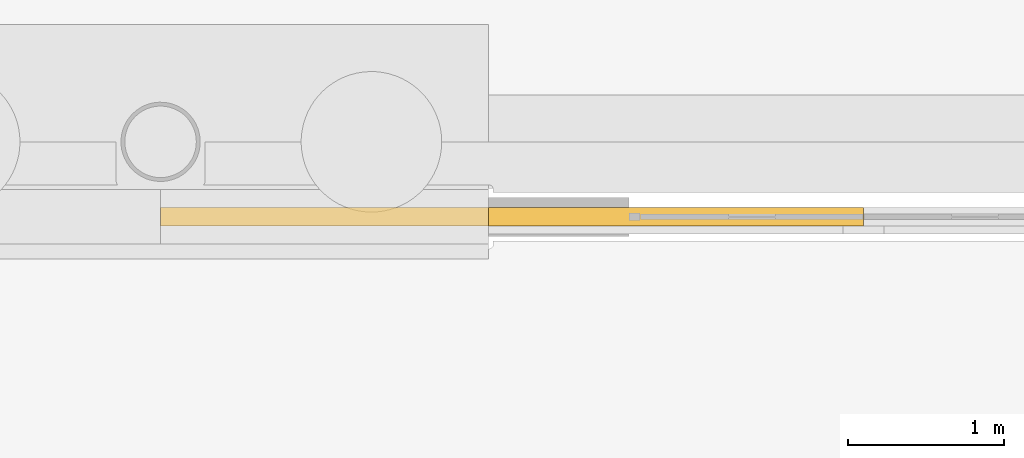
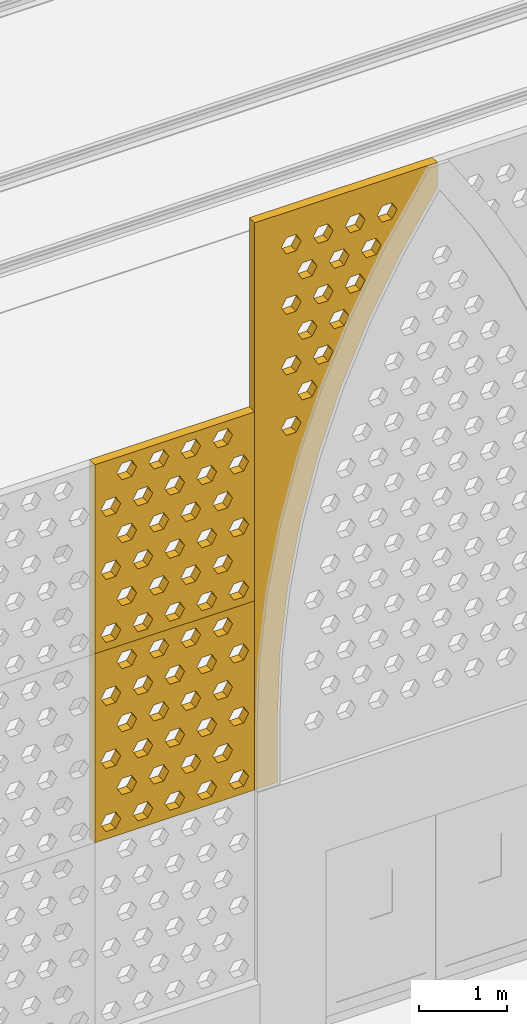
# One storey, part 206 of 250: 3 shading devices.
"""IFC4 building model written with IfcOpenShell, lengths in metres."""

from ifc_helpers import new_model, si_unit, direction, frame, origin, place, context, subcontext, project, spatial, polyline, outline, extrude, material, layer, layer_set, type_object, element, save


model = new_model("IFC4")

# Units and contexts
model_context = context("Model", 3, precision=1e-05, world=origin(), true_north=direction((0.0, 1.0)))
body_context = subcontext(model_context, "Body", "Model", "MODEL_VIEW")
ifc_project = project(units=[si_unit("LENGTHUNIT", "METRE"), si_unit("AREAUNIT", "SQUARE_METRE"), si_unit("VOLUMEUNIT", "CUBIC_METRE"), si_unit("PLANEANGLEUNIT", "RADIAN"), si_unit("MASSUNIT", "GRAM", prefix="KILO")], contexts=[model_context])

# Site, building, storey
site_placement = place(None, origin())
site = spatial("IfcSite", under=ifc_project, at=site_placement, CompositionType="ELEMENT")
building_placement = place(site_placement, origin())
building = spatial("IfcBuilding", under=site, at=building_placement, Name="Baradari Gate Terminus", CompositionType="ELEMENT")
storey_placement = place(building_placement, origin())
storey = spatial("IfcBuildingStorey", under=building, at=storey_placement, Name="L00", CompositionType="ELEMENT", Elevation=0.0)

# Shading devices
ifc_material = material(Name="Concrete C50/60 precast", Category="concrete")
ifc_layer = layer(ifc_material, 0.1201171875)
ifc_layer_set = layer_set([ifc_layer], Name="Concrete C50/60 precast")
shading_device_type = type_object("IfcShadingDeviceType", Name="Jali screen panel JS-2 120", PredefinedType="SHUTTER", material=ifc_layer_set)
shading_device_1_placement = place(storey_placement, frame((216.0, 35.52001953125, 3.52490234375), z_axis=(0.0, 0.0, 1.0), x_axis=(1.0, 0.0, 0.0)))
element("IfcShadingDevice", 1, at=shading_device_1_placement, inside=storey, type_object=shading_device_type, Name="Jali screen panel JS-2 SC07a row 2 panel 1", PredefinedType="SHUTTER", context=body_context, shape_type="SweptSolid", body=[
    extrude(outline(polyline([(0.0, 0.0), (2.10009765625, 0.0), (2.10009765625, 2.625), (0.0, 2.625), (0.0, 0.0)]), holes=[polyline([(0.340087890625, 0.21875), (0.27490234375, 0.106201171875), (0.14501953125, 0.106201171875), (0.080078125, 0.21875), (0.14501953125, 0.33154296875), (0.27490234375, 0.33154296875), (0.340087890625, 0.21875)]), polyline([(0.760009765625, 0.21875), (0.695068359375, 0.106201171875), (0.56494140625, 0.106201171875), (0.5, 0.21875), (0.56494140625, 0.33154296875), (0.695068359375, 0.33154296875), (0.760009765625, 0.21875)]), polyline([(1.179931640625, 0.21875), (1.114990234375, 0.106201171875), (0.985107421875, 0.106201171875), (0.919921875, 0.21875), (0.985107421875, 0.33154296875), (1.114990234375, 0.33154296875), (1.179931640625, 0.21875)]), polyline([(1.60009765625, 0.21875), (1.534912109375, 0.106201171875), (1.405029296875, 0.106201171875), (1.340087890625, 0.21875), (1.405029296875, 0.33154296875), (1.534912109375, 0.33154296875), (1.60009765625, 0.21875)]), polyline([(2.02001953125, 0.21875), (1.955078125, 0.106201171875), (1.824951171875, 0.106201171875), (1.760009765625, 0.21875), (1.824951171875, 0.33154296875), (1.955078125, 0.33154296875), (2.02001953125, 0.21875)]), polyline([(0.550048828125, 0.65625), (0.485107421875, 0.543701171875), (0.35498046875, 0.543701171875), (0.2900390625, 0.65625), (0.35498046875, 0.76904296875), (0.485107421875, 0.76904296875), (0.550048828125, 0.65625)]), polyline([(0.969970703125, 0.65625), (0.905029296875, 0.543701171875), (0.77490234375, 0.543701171875), (0.7099609375, 0.65625), (0.77490234375, 0.76904296875), (0.905029296875, 0.76904296875), (0.969970703125, 0.65625)]), polyline([(1.389892578125, 0.65625), (1.324951171875, 0.543701171875), (1.195068359375, 0.543701171875), (1.1298828125, 0.65625), (1.195068359375, 0.76904296875), (1.324951171875, 0.76904296875), (1.389892578125, 0.65625)]), polyline([(1.81005859375, 0.65625), (1.7451171875, 0.543701171875), (1.614990234375, 0.543701171875), (1.550048828125, 0.65625), (1.614990234375, 0.76904296875), (1.7451171875, 0.76904296875), (1.81005859375, 0.65625)]), polyline([(0.340087890625, 1.09375), (0.27490234375, 0.981201171875), (0.14501953125, 0.981201171875), (0.080078125, 1.09375), (0.14501953125, 1.20654296875), (0.27490234375, 1.20654296875), (0.340087890625, 1.09375)]), polyline([(0.760009765625, 1.09375), (0.695068359375, 0.981201171875), (0.56494140625, 0.981201171875), (0.5, 1.09375), (0.56494140625, 1.20654296875), (0.695068359375, 1.20654296875), (0.760009765625, 1.09375)]), polyline([(1.179931640625, 1.09375), (1.114990234375, 0.981201171875), (0.985107421875, 0.981201171875), (0.919921875, 1.09375), (0.985107421875, 1.20654296875), (1.114990234375, 1.20654296875), (1.179931640625, 1.09375)]), polyline([(1.60009765625, 1.09375), (1.534912109375, 0.981201171875), (1.405029296875, 0.981201171875), (1.340087890625, 1.09375), (1.405029296875, 1.20654296875), (1.534912109375, 1.20654296875), (1.60009765625, 1.09375)]), polyline([(2.02001953125, 1.09375), (1.955078125, 0.981201171875), (1.824951171875, 0.981201171875), (1.760009765625, 1.09375), (1.824951171875, 1.20654296875), (1.955078125, 1.20654296875), (2.02001953125, 1.09375)]), polyline([(0.550048828125, 1.53125), (0.485107421875, 1.418701171875), (0.35498046875, 1.418701171875), (0.2900390625, 1.53125), (0.35498046875, 1.64404296875), (0.485107421875, 1.64404296875), (0.550048828125, 1.53125)]), polyline([(0.969970703125, 1.53125), (0.905029296875, 1.418701171875), (0.77490234375, 1.418701171875), (0.7099609375, 1.53125), (0.77490234375, 1.64404296875), (0.905029296875, 1.64404296875), (0.969970703125, 1.53125)]), polyline([(1.389892578125, 1.53125), (1.324951171875, 1.418701171875), (1.195068359375, 1.418701171875), (1.1298828125, 1.53125), (1.195068359375, 1.64404296875), (1.324951171875, 1.64404296875), (1.389892578125, 1.53125)]), polyline([(1.81005859375, 1.53125), (1.7451171875, 1.418701171875), (1.614990234375, 1.418701171875), (1.550048828125, 1.53125), (1.614990234375, 1.64404296875), (1.7451171875, 1.64404296875), (1.81005859375, 1.53125)]), polyline([(0.340087890625, 1.96875), (0.27490234375, 1.856201171875), (0.14501953125, 1.856201171875), (0.080078125, 1.96875), (0.14501953125, 2.08154296875), (0.27490234375, 2.08154296875), (0.340087890625, 1.96875)]), polyline([(0.760009765625, 1.96875), (0.695068359375, 1.856201171875), (0.56494140625, 1.856201171875), (0.5, 1.96875), (0.56494140625, 2.08154296875), (0.695068359375, 2.08154296875), (0.760009765625, 1.96875)]), polyline([(1.179931640625, 1.96875), (1.114990234375, 1.856201171875), (0.985107421875, 1.856201171875), (0.919921875, 1.96875), (0.985107421875, 2.08154296875), (1.114990234375, 2.08154296875), (1.179931640625, 1.96875)]), polyline([(1.60009765625, 1.96875), (1.534912109375, 1.856201171875), (1.405029296875, 1.856201171875), (1.340087890625, 1.96875), (1.405029296875, 2.08154296875), (1.534912109375, 2.08154296875), (1.60009765625, 1.96875)]), polyline([(2.02001953125, 1.96875), (1.955078125, 1.856201171875), (1.824951171875, 1.856201171875), (1.760009765625, 1.96875), (1.824951171875, 2.08154296875), (1.955078125, 2.08154296875), (2.02001953125, 1.96875)]), polyline([(0.550048828125, 2.40625), (0.485107421875, 2.293701171875), (0.35498046875, 2.293701171875), (0.2900390625, 2.40625), (0.35498046875, 2.51904296875), (0.485107421875, 2.51904296875), (0.550048828125, 2.40625)]), polyline([(0.969970703125, 2.40625), (0.905029296875, 2.293701171875), (0.77490234375, 2.293701171875), (0.7099609375, 2.40625), (0.77490234375, 2.51904296875), (0.905029296875, 2.51904296875), (0.969970703125, 2.40625)]), polyline([(1.389892578125, 2.40625), (1.324951171875, 2.293701171875), (1.195068359375, 2.293701171875), (1.1298828125, 2.40625), (1.195068359375, 2.51904296875), (1.324951171875, 2.51904296875), (1.389892578125, 2.40625)]), polyline([(1.81005859375, 2.40625), (1.7451171875, 2.293701171875), (1.614990234375, 2.293701171875), (1.550048828125, 2.40625), (1.614990234375, 2.51904296875), (1.7451171875, 2.51904296875), (1.81005859375, 2.40625)])]), frame((0.0, 0.06005859375, 0.0), z_axis=(0.0, -1.0, 0.0), x_axis=(1.0, 0.0, 0.0)), (0.0, 0.0, 1.0), 0.1201171875),
])
shading_device_2_placement = place(storey_placement, frame((216.0, 35.52001953125, 6.14990234375), z_axis=(0.0, 0.0, 1.0), x_axis=(1.0, 0.0, 0.0)))
element("IfcShadingDevice", 2, at=shading_device_2_placement, inside=storey, type_object=shading_device_type, Name="Jali screen panel JS-2 SC07a row 3 panel 1", PredefinedType="SHUTTER", context=body_context, shape_type="SweptSolid", body=[
    extrude(outline(polyline([(0.0, 0.0), (2.10009765625, 0.0), (2.10009765625, 2.625), (0.0, 2.625), (0.0, 0.0)]), holes=[polyline([(0.340087890625, 0.21875), (0.27490234375, 0.106201171875), (0.14501953125, 0.106201171875), (0.080078125, 0.21875), (0.14501953125, 0.33154296875), (0.27490234375, 0.33154296875), (0.340087890625, 0.21875)]), polyline([(0.760009765625, 0.21875), (0.695068359375, 0.106201171875), (0.56494140625, 0.106201171875), (0.5, 0.21875), (0.56494140625, 0.33154296875), (0.695068359375, 0.33154296875), (0.760009765625, 0.21875)]), polyline([(1.179931640625, 0.21875), (1.114990234375, 0.106201171875), (0.985107421875, 0.106201171875), (0.919921875, 0.21875), (0.985107421875, 0.33154296875), (1.114990234375, 0.33154296875), (1.179931640625, 0.21875)]), polyline([(1.60009765625, 0.21875), (1.534912109375, 0.106201171875), (1.405029296875, 0.106201171875), (1.340087890625, 0.21875), (1.405029296875, 0.33154296875), (1.534912109375, 0.33154296875), (1.60009765625, 0.21875)]), polyline([(2.02001953125, 0.21875), (1.955078125, 0.106201171875), (1.824951171875, 0.106201171875), (1.760009765625, 0.21875), (1.824951171875, 0.33154296875), (1.955078125, 0.33154296875), (2.02001953125, 0.21875)]), polyline([(0.550048828125, 0.65625), (0.485107421875, 0.543701171875), (0.35498046875, 0.543701171875), (0.2900390625, 0.65625), (0.35498046875, 0.76904296875), (0.485107421875, 0.76904296875), (0.550048828125, 0.65625)]), polyline([(0.969970703125, 0.65625), (0.905029296875, 0.543701171875), (0.77490234375, 0.543701171875), (0.7099609375, 0.65625), (0.77490234375, 0.76904296875), (0.905029296875, 0.76904296875), (0.969970703125, 0.65625)]), polyline([(1.389892578125, 0.65625), (1.324951171875, 0.543701171875), (1.195068359375, 0.543701171875), (1.1298828125, 0.65625), (1.195068359375, 0.76904296875), (1.324951171875, 0.76904296875), (1.389892578125, 0.65625)]), polyline([(1.81005859375, 0.65625), (1.7451171875, 0.543701171875), (1.614990234375, 0.543701171875), (1.550048828125, 0.65625), (1.614990234375, 0.76904296875), (1.7451171875, 0.76904296875), (1.81005859375, 0.65625)]), polyline([(0.340087890625, 1.09375), (0.27490234375, 0.981201171875), (0.14501953125, 0.981201171875), (0.080078125, 1.09375), (0.14501953125, 1.20654296875), (0.27490234375, 1.20654296875), (0.340087890625, 1.09375)]), polyline([(0.760009765625, 1.09375), (0.695068359375, 0.981201171875), (0.56494140625, 0.981201171875), (0.5, 1.09375), (0.56494140625, 1.20654296875), (0.695068359375, 1.20654296875), (0.760009765625, 1.09375)]), polyline([(1.179931640625, 1.09375), (1.114990234375, 0.981201171875), (0.985107421875, 0.981201171875), (0.919921875, 1.09375), (0.985107421875, 1.20654296875), (1.114990234375, 1.20654296875), (1.179931640625, 1.09375)]), polyline([(1.60009765625, 1.09375), (1.534912109375, 0.981201171875), (1.405029296875, 0.981201171875), (1.340087890625, 1.09375), (1.405029296875, 1.20654296875), (1.534912109375, 1.20654296875), (1.60009765625, 1.09375)]), polyline([(2.02001953125, 1.09375), (1.955078125, 0.981201171875), (1.824951171875, 0.981201171875), (1.760009765625, 1.09375), (1.824951171875, 1.20654296875), (1.955078125, 1.20654296875), (2.02001953125, 1.09375)]), polyline([(0.550048828125, 1.53125), (0.485107421875, 1.418701171875), (0.35498046875, 1.418701171875), (0.2900390625, 1.53125), (0.35498046875, 1.64404296875), (0.485107421875, 1.64404296875), (0.550048828125, 1.53125)]), polyline([(0.969970703125, 1.53125), (0.905029296875, 1.418701171875), (0.77490234375, 1.418701171875), (0.7099609375, 1.53125), (0.77490234375, 1.64404296875), (0.905029296875, 1.64404296875), (0.969970703125, 1.53125)]), polyline([(1.389892578125, 1.53125), (1.324951171875, 1.418701171875), (1.195068359375, 1.418701171875), (1.1298828125, 1.53125), (1.195068359375, 1.64404296875), (1.324951171875, 1.64404296875), (1.389892578125, 1.53125)]), polyline([(1.81005859375, 1.53125), (1.7451171875, 1.418701171875), (1.614990234375, 1.418701171875), (1.550048828125, 1.53125), (1.614990234375, 1.64404296875), (1.7451171875, 1.64404296875), (1.81005859375, 1.53125)]), polyline([(0.340087890625, 1.96875), (0.27490234375, 1.856201171875), (0.14501953125, 1.856201171875), (0.080078125, 1.96875), (0.14501953125, 2.08154296875), (0.27490234375, 2.08154296875), (0.340087890625, 1.96875)]), polyline([(0.760009765625, 1.96875), (0.695068359375, 1.856201171875), (0.56494140625, 1.856201171875), (0.5, 1.96875), (0.56494140625, 2.08154296875), (0.695068359375, 2.08154296875), (0.760009765625, 1.96875)]), polyline([(1.179931640625, 1.96875), (1.114990234375, 1.856201171875), (0.985107421875, 1.856201171875), (0.919921875, 1.96875), (0.985107421875, 2.08154296875), (1.114990234375, 2.08154296875), (1.179931640625, 1.96875)]), polyline([(1.60009765625, 1.96875), (1.534912109375, 1.856201171875), (1.405029296875, 1.856201171875), (1.340087890625, 1.96875), (1.405029296875, 2.08154296875), (1.534912109375, 2.08154296875), (1.60009765625, 1.96875)]), polyline([(2.02001953125, 1.96875), (1.955078125, 1.856201171875), (1.824951171875, 1.856201171875), (1.760009765625, 1.96875), (1.824951171875, 2.08154296875), (1.955078125, 2.08154296875), (2.02001953125, 1.96875)]), polyline([(0.550048828125, 2.40625), (0.485107421875, 2.293701171875), (0.35498046875, 2.293701171875), (0.2900390625, 2.40625), (0.35498046875, 2.51904296875), (0.485107421875, 2.51904296875), (0.550048828125, 2.40625)]), polyline([(0.969970703125, 2.40625), (0.905029296875, 2.293701171875), (0.77490234375, 2.293701171875), (0.7099609375, 2.40625), (0.77490234375, 2.51904296875), (0.905029296875, 2.51904296875), (0.969970703125, 2.40625)]), polyline([(1.389892578125, 2.40625), (1.324951171875, 2.293701171875), (1.195068359375, 2.293701171875), (1.1298828125, 2.40625), (1.195068359375, 2.51904296875), (1.324951171875, 2.51904296875), (1.389892578125, 2.40625)]), polyline([(1.81005859375, 2.40625), (1.7451171875, 2.293701171875), (1.614990234375, 2.293701171875), (1.550048828125, 2.40625), (1.614990234375, 2.51904296875), (1.7451171875, 2.51904296875), (1.81005859375, 2.40625)])]), frame((0.0, 0.06005859375, 0.0), z_axis=(0.0, -1.0, 0.0), x_axis=(1.0, 0.0, 0.0)), (0.0, 0.0, 1.0), 0.1201171875),
])
shading_device_3_placement = place(storey_placement, frame((218.10009765625, 35.52001953125, 3.52490234375), z_axis=(0.0, 0.0, 1.0), x_axis=(1.0, 0.0, 0.0)))
element("IfcShadingDevice", 3, at=shading_device_3_placement, inside=storey, type_object=shading_device_type, Name="Jali screen panel JS-2 SC07b arch L1", PredefinedType="SHUTTER", context=body_context, shape_type="SweptSolid", body=[
    extrude(outline(polyline([(0.0, 0.0), (0.300048828125, 0.0), (0.300048828125, 0.900146484375), (0.333740234375, 1.78173828125), (0.435302734375, 2.658203125), (0.603515625, 3.5244140625), (0.837646484375, 4.375), (1.13623046875, 5.205322265625), (1.49755859375, 6.01025390625), (1.919677734375, 6.784912109375), (2.39990234375, 7.525146484375), (2.39990234375, 7.875), (0.0, 7.875), (0.0, 0.0)]), holes=[polyline([(0.610107421875, 4.89013671875), (0.544921875, 4.777587890625), (0.4150390625, 4.777587890625), (0.35009765625, 4.89013671875), (0.4150390625, 5.002685546875), (0.544921875, 5.002685546875), (0.610107421875, 4.89013671875)]), polyline([(0.820068359375, 5.31005859375), (0.7548828125, 5.197509765625), (0.625, 5.197509765625), (0.56005859375, 5.31005859375), (0.625, 5.422607421875), (0.7548828125, 5.422607421875), (0.820068359375, 5.31005859375)]), polyline([(0.610107421875, 5.72998046875), (0.544921875, 5.617431640625), (0.4150390625, 5.617431640625), (0.35009765625, 5.72998046875), (0.4150390625, 5.8427734375), (0.544921875, 5.8427734375), (0.610107421875, 5.72998046875)]), polyline([(1.030029296875, 5.72998046875), (0.965087890625, 5.617431640625), (0.8349609375, 5.617431640625), (0.77001953125, 5.72998046875), (0.8349609375, 5.8427734375), (0.965087890625, 5.8427734375), (1.030029296875, 5.72998046875)]), polyline([(0.820068359375, 6.150146484375), (0.7548828125, 6.03759765625), (0.625, 6.03759765625), (0.56005859375, 6.150146484375), (0.625, 6.2626953125), (0.7548828125, 6.2626953125), (0.820068359375, 6.150146484375)]), polyline([(1.239990234375, 6.150146484375), (1.175048828125, 6.03759765625), (1.044921875, 6.03759765625), (0.97998046875, 6.150146484375), (1.044921875, 6.2626953125), (1.175048828125, 6.2626953125), (1.239990234375, 6.150146484375)]), polyline([(0.610107421875, 6.570068359375), (0.544921875, 6.45751953125), (0.4150390625, 6.45751953125), (0.35009765625, 6.570068359375), (0.4150390625, 6.6826171875), (0.544921875, 6.6826171875), (0.610107421875, 6.570068359375)]), polyline([(1.030029296875, 6.570068359375), (0.965087890625, 6.45751953125), (0.8349609375, 6.45751953125), (0.77001953125, 6.570068359375), (0.8349609375, 6.6826171875), (0.965087890625, 6.6826171875), (1.030029296875, 6.570068359375)]), polyline([(1.449951171875, 6.570068359375), (1.385009765625, 6.45751953125), (1.2548828125, 6.45751953125), (1.18994140625, 6.570068359375), (1.2548828125, 6.6826171875), (1.385009765625, 6.6826171875), (1.449951171875, 6.570068359375)]), polyline([(0.820068359375, 6.989990234375), (0.7548828125, 6.87744140625), (0.625, 6.87744140625), (0.56005859375, 6.989990234375), (0.625, 7.102783203125), (0.7548828125, 7.102783203125), (0.820068359375, 6.989990234375)]), polyline([(1.239990234375, 6.989990234375), (1.175048828125, 6.87744140625), (1.044921875, 6.87744140625), (0.97998046875, 6.989990234375), (1.044921875, 7.102783203125), (1.175048828125, 7.102783203125), (1.239990234375, 6.989990234375)]), polyline([(1.659912109375, 6.989990234375), (1.594970703125, 6.87744140625), (1.465087890625, 6.87744140625), (1.39990234375, 6.989990234375), (1.465087890625, 7.102783203125), (1.594970703125, 7.102783203125), (1.659912109375, 6.989990234375)]), polyline([(0.610107421875, 7.41015625), (0.544921875, 7.297607421875), (0.4150390625, 7.297607421875), (0.35009765625, 7.41015625), (0.4150390625, 7.522705078125), (0.544921875, 7.522705078125), (0.610107421875, 7.41015625)]), polyline([(1.030029296875, 7.41015625), (0.965087890625, 7.297607421875), (0.8349609375, 7.297607421875), (0.77001953125, 7.41015625), (0.8349609375, 7.522705078125), (0.965087890625, 7.522705078125), (1.030029296875, 7.41015625)]), polyline([(1.449951171875, 7.41015625), (1.385009765625, 7.297607421875), (1.2548828125, 7.297607421875), (1.18994140625, 7.41015625), (1.2548828125, 7.522705078125), (1.385009765625, 7.522705078125), (1.449951171875, 7.41015625)]), polyline([(1.8701171875, 7.41015625), (1.804931640625, 7.297607421875), (1.675048828125, 7.297607421875), (1.610107421875, 7.41015625), (1.675048828125, 7.522705078125), (1.804931640625, 7.522705078125), (1.8701171875, 7.41015625)])]), frame((0.0, 0.06005859375, 0.0), z_axis=(0.0, -1.0, 0.0), x_axis=(1.0, 0.0, 0.0)), (0.0, 0.0, 1.0), 0.1201171875),
])

save(model, "model.ifc")
